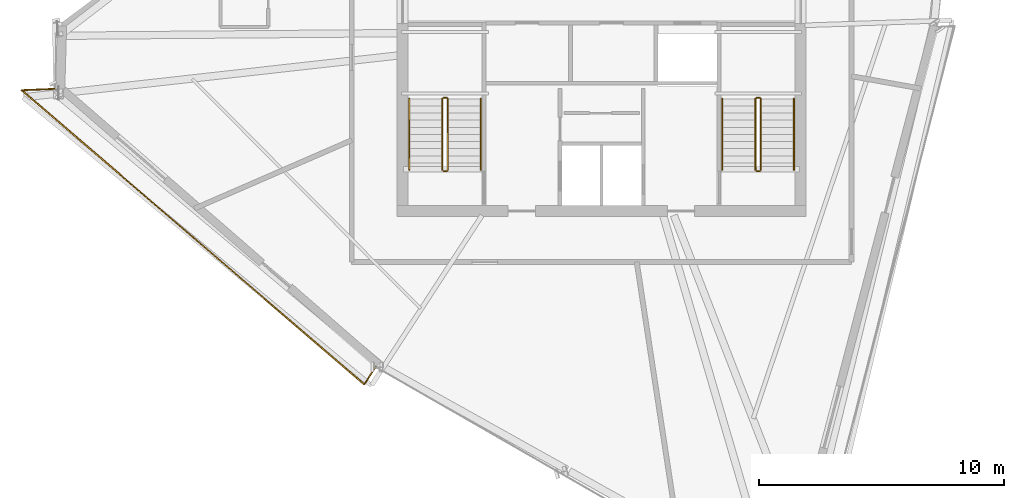
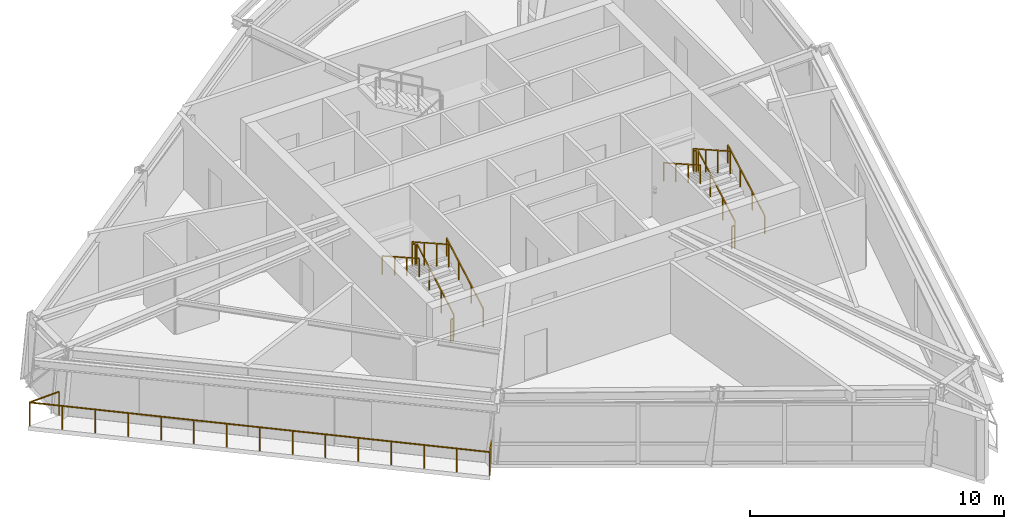
# One storey, part 11 of 13: 13 railings.
"""IFC4 building model written with IfcOpenShell, lengths in metres."""

import ifcopenshell
import ifcopenshell.guid

model = None  # the IFC model being written
_history = None  # IfcOwnerHistory: only IFC2X3 demands one
_inside = {}  # id of a spatial element -> (the spatial element, [elements in it])
_under = {}  # id of a project, library or spatial element -> (it, [spatial elements below it])
_declared = {}  # id of a project -> (the project, [libraries it declares])
_typed = {}  # id of a type object -> (the type object, [elements of that type])
_made_of = {}  # id of a material, layer set ... -> (it, [elements and type objects made of it])


def new_model(schema):
    """Start an empty IFC model of exactly this schema.

    Asked for "IFC4X3", IfcOpenShell would pick the latest addendum, in which some entities
    have other attributes; the version numbers below select the first issue.
    IFC2X3 requires an IfcOwnerHistory on every rooted entity: one is made here for all.
    """
    global model, _history
    if schema == "IFC4X3":
        model = ifcopenshell.file(schema_version=(4, 3, 0, 0))
    else:
        model = ifcopenshell.file(schema=schema)
    _inside.clear()
    _under.clear()
    _declared.clear()
    _typed.clear()
    _made_of.clear()
    _history = None
    if model.schema == "IFC2X3":
        org = make("IfcOrganization", Name="unknown")
        user = make(
            "IfcPersonAndOrganization",
            ThePerson=make("IfcPerson", FamilyName="unknown"),
            TheOrganization=org,
        )
        app = make(
            "IfcApplication",
            ApplicationDeveloper=org,
            Version="unknown",
            ApplicationFullName="unknown",
            ApplicationIdentifier="unknown",
        )
        _history = make(
            "IfcOwnerHistory",
            OwningUser=user,
            OwningApplication=app,
            ChangeAction="ADDED",
            CreationDate=0,
        )
    return model


def make(cls, **values):
    """One entity of the class cls with the attributes given. An attribute that is None is left unset."""
    return model.create_entity(
        cls, **{name: value for name, value in values.items() if value is not None}
    )


def rooted(cls, **values):
    """An entity with a GlobalId (a new one), such as an element, a storey or a relation."""
    return make(cls, GlobalId=ifcopenshell.guid.new(), OwnerHistory=_history, **values)


def si_unit(unit_type, name, prefix=None):
    """IfcSIUnit, for example si_unit("LENGTHUNIT", "METRE", prefix="MILLI")."""
    return make("IfcSIUnit", UnitType=unit_type, Prefix=prefix, Name=name)


def assignment(units):
    """IfcUnitAssignment: the units of a project."""
    return None if units is None else make("IfcUnitAssignment", Units=units)


def point(xyz):
    """IfcCartesianPoint."""
    return None if xyz is None else make("IfcCartesianPoint", Coordinates=xyz)


def direction(xyz):
    """IfcDirection."""
    return None if xyz is None else make("IfcDirection", DirectionRatios=xyz)


def frame(location, z_axis=None, x_axis=None):
    """IfcAxis2Placement3D, a coordinate frame: its origin and axes. An axis left out is left unset."""
    return make(
        "IfcAxis2Placement3D",
        Location=point(location),
        Axis=direction(z_axis),
        RefDirection=direction(x_axis),
    )


def frame_2d(location, x_axis=None):
    """IfcAxis2Placement2D, a coordinate frame in the plane: its origin and x axis."""
    return make(
        "IfcAxis2Placement2D", Location=point(location), RefDirection=direction(x_axis)
    )


def origin():
    """The frame at (0, 0, 0) with its axes left unset."""
    return frame((0.0, 0.0, 0.0))


def origin_2d():
    """The frame at (0, 0) in the plane with its x axis left unset."""
    return frame_2d((0.0, 0.0))


def place(relative_to, where):
    """IfcLocalPlacement: puts the frame where relative to a parent placement (None: the world)."""
    return make(
        "IfcLocalPlacement", PlacementRelTo=relative_to, RelativePlacement=where
    )


def context(
    kind, dimensions, precision=None, world=None, true_north=None, identifier=None
):
    """IfcGeometricRepresentationContext, for example the 3D "Model" context."""
    return make(
        "IfcGeometricRepresentationContext",
        ContextIdentifier=identifier,
        ContextType=kind,
        CoordinateSpaceDimension=dimensions,
        Precision=precision,
        WorldCoordinateSystem=world,
        TrueNorth=true_north,
    )


def subcontext(parent, identifier, kind, view, scale=None):
    """IfcGeometricRepresentationSubContext, for example "Body" below "Model"."""
    return make(
        "IfcGeometricRepresentationSubContext",
        ContextIdentifier=identifier,
        ContextType=kind,
        ParentContext=parent,
        TargetScale=scale,
        TargetView=view,
    )


def project(units=None, contexts=None):
    """IfcProject with its units and contexts."""
    return rooted(
        "IfcProject",
        Name="project",
        RepresentationContexts=contexts,
        UnitsInContext=assignment(units),
    )


def spatial(cls, under=None, at=None, **own):
    """A site, building, storey or space (cls), placed at a placement, below another one or the project."""
    s = rooted(cls, ObjectPlacement=at, **own)
    if under is not None:
        _under.setdefault(under.id(), (under, []))[1].append(s)
    return s


def profile(cls, at=None, kind="AREA", **sizes):
    """A parametric profile (cls). Its sizes go by their IFC names, for example OverallWidth=200.0."""
    return make(cls, ProfileType=kind, Position=at, **sizes)


def rectangle(**sizes):
    """IfcRectangleProfileDef."""
    return profile("IfcRectangleProfileDef", **sizes)


def extrude(swept, where, along, depth):
    """IfcExtrudedAreaSolid: the profile swept, set in the frame where, extruded along a direction by depth."""
    return make(
        "IfcExtrudedAreaSolid",
        SweptArea=swept,
        Position=where,
        ExtrudedDirection=direction(along),
        Depth=depth,
    )


def shape(context_of_items, identifier, shape_type, items):
    """IfcShapeRepresentation: the items that make up one representation, for example the "Body"."""
    return make(
        "IfcShapeRepresentation",
        ContextOfItems=context_of_items,
        RepresentationIdentifier=identifier,
        RepresentationType=shape_type,
        Items=items,
    )


def material(Name=None, Category=None):
    """IfcMaterial."""
    return make("IfcMaterial", Name=Name, Category=Category)


def made_of(thing, what):
    """Note that an element or type object is made of a material, layer set ...; save() writes the relation."""
    if what is not None:
        _made_of.setdefault(what.id(), (what, []))[1].append(thing)
    return thing


def type_object(cls, material=None, **own):
    """A type object (cls), such as IfcWallType, which elements share."""
    return made_of(rooted(cls, **own), material)


def element(
    cls,
    number,
    at=None,
    inside=None,
    cuts=None,
    type_object=None,
    material=None,
    context=None,
    identifier="Body",
    shape_type=None,
    held_by="IfcProductDefinitionShape",
    body=None,
    shapes=None,
    **own,
):
    """One element of the class cls, such as IfcWall. Its Tag is "e" and its number.

    at: its placement. inside: the storey or other place that contains it. cuts: it is an
    opening in that element (IfcRelVoidsElement). A single representation is given by context,
    identifier, shape_type and body (its items); several are given by shapes. held_by: the class
    of the entity that holds the representations. save() writes the other relations.
    """
    e = rooted(cls, Tag="e%d" % number, ObjectPlacement=at, **own)
    if body is not None:
        shapes = [shape(context, identifier, shape_type, body)]
    if shapes is not None:
        e.Representation = make(held_by, Representations=shapes)
    if inside is not None:
        _inside.setdefault(inside.id(), (inside, []))[1].append(e)
    if cuts is not None:
        rooted(
            "IfcRelVoidsElement", RelatingBuildingElement=cuts, RelatedOpeningElement=e
        )
    if type_object is not None:
        _typed.setdefault(type_object.id(), (type_object, []))[1].append(e)
    return made_of(e, material)


def aggregate(whole, parts):
    """IfcRelAggregates: a whole, such as a stair, and the parts it consists of."""
    return rooted("IfcRelAggregates", RelatingObject=whole, RelatedObjects=parts)


def save(model, path):
    """Write the relations noted so far, then the file.

    IfcRelAggregates (storeys below a building ...), IfcRelContainedInSpatialStructure (elements
    in a storey), IfcRelDefinesByType, IfcRelAssociatesMaterial and IfcRelDeclares: one each for
    every whole, place, type object, material and project.
    """
    for whole, parts in _under.values():
        aggregate(whole, parts)
    for where, things in _inside.values():
        rooted(
            "IfcRelContainedInSpatialStructure",
            RelatedElements=things,
            RelatingStructure=where,
        )
    for kind, things in _typed.values():
        rooted("IfcRelDefinesByType", RelatedObjects=things, RelatingType=kind)
    for what, things in _made_of.values():
        rooted("IfcRelAssociatesMaterial", RelatedObjects=things, RelatingMaterial=what)
    for by, libraries in _declared.values():
        rooted("IfcRelDeclares", RelatingContext=by, RelatedDefinitions=libraries)
    model.write(path)


model = new_model("IFC4")

# Units and contexts
model_context = context("Model", 3, precision=1e-05, world=origin(), true_north=direction((0.0, 1.0)))
body_context = subcontext(model_context, "Body", "Model", "MODEL_VIEW")
ifc_project = project(units=[si_unit("LENGTHUNIT", "METRE"), si_unit("AREAUNIT", "SQUARE_METRE"), si_unit("VOLUMEUNIT", "CUBIC_METRE"), si_unit("PLANEANGLEUNIT", "RADIAN"), si_unit("MASSUNIT", "GRAM", prefix="KILO")], contexts=[model_context])

# Site, building, storey
site_placement = place(None, origin())
site = spatial("IfcSite", under=ifc_project, at=site_placement, CompositionType="ELEMENT")
building_placement = place(site_placement, origin())
building = spatial("IfcBuilding", under=site, at=building_placement, Name="Olszyna Solenne Hotel", CompositionType="ELEMENT")
storey_placement = place(building_placement, frame((0.0, 0.0, 263.300048828125)))
storey = spatial("IfcBuildingStorey", under=building, at=storey_placement, Name="L70", CompositionType="ELEMENT", Elevation=263.300048828125)

# Railings
ifc_material_1 = material(Name="Anodised bronze aluminium", Category="aluminium")
railing_type_1 = type_object("IfcRailingType", Name="GR-110", PredefinedType="BALUSTRADE", material=ifc_material_1)
railing_1_placement = place(storey_placement, frame((15.708984375, 24.26416015625, 0.0)))
element("IfcRailing", 1, at=railing_1_placement, inside=storey, type_object=railing_type_1, Name="Loggia balcony balustrade guard GR-L70-LG2", PredefinedType="BALUSTRADE", context=body_context, shape_type="SweptSolid", body=[
    extrude(rectangle(XDim=0.048095703125, YDim=0.048095703125, at=origin_2d()), frame((0.0, 0.0, 1.1259765625), z_axis=(-0.999149254878, -0.041240350113, 0.0), x_axis=(0.041240350113, -0.999149254878, 0.0)), (0.0, 0.0, 1.0), 1.37939453125),
    extrude(rectangle(XDim=0.048095703125, YDim=0.048095703125, at=origin_2d()), frame((-1.378173828125, -0.056884765625, 1.1259765625), z_axis=(0.758584719473, -0.651574418913, 0.0), x_axis=(0.651574418913, 0.758584719473, 0.0)), (0.0, 0.0, 1.0), 18.427490234375),
    extrude(rectangle(XDim=0.048095703125, YDim=0.048095703125, at=origin_2d()), frame((12.6005859375, -12.063720703125, 1.1259765625), z_axis=(0.555765191135, 0.831339312388, 0.0), x_axis=(-0.831339312388, 0.555765191135, 0.0)), (0.0, 0.0, 1.0), 0.845947265625),
    extrude(rectangle(XDim=0.0419921875, YDim=0.0419921875, at=origin_2d()), origin(), (0.0, 0.0, 1.0), 1.101806640625),
    extrude(rectangle(XDim=0.0419921875, YDim=0.0419921875, at=origin_2d()), frame((-1.378173828125, -0.056884765625, 0.0)), (0.0, 0.0, 1.0), 1.101806640625),
    extrude(rectangle(XDim=0.0419921875, YDim=0.0419921875, at=origin_2d()), frame((-0.379638671875, -0.91455078125, 0.0)), (0.0, 0.0, 1.0), 1.101806640625),
    extrude(rectangle(XDim=0.0419921875, YDim=0.0419921875, at=origin_2d()), frame((0.618896484375, -1.772216796875, 0.0)), (0.0, 0.0, 1.0), 1.101806640625),
    extrude(rectangle(XDim=0.0419921875, YDim=0.0419921875, at=origin_2d()), frame((1.6171875, -2.6298828125, 0.0)), (0.0, 0.0, 1.0), 1.101806640625),
    extrude(rectangle(XDim=0.0419921875, YDim=0.0419921875, at=origin_2d()), frame((2.61572265625, -3.4873046875, 0.0)), (0.0, 0.0, 1.0), 1.101806640625),
    extrude(rectangle(XDim=0.0419921875, YDim=0.0419921875, at=origin_2d()), frame((3.6142578125, -4.344970703125, 0.0)), (0.0, 0.0, 1.0), 1.101806640625),
    extrude(rectangle(XDim=0.0419921875, YDim=0.0419921875, at=origin_2d()), frame((4.61279296875, -5.20263671875, 0.0)), (0.0, 0.0, 1.0), 1.101806640625),
    extrude(rectangle(XDim=0.0419921875, YDim=0.0419921875, at=origin_2d()), frame((5.611328125, -6.060302734375, 0.0)), (0.0, 0.0, 1.0), 1.101806640625),
    extrude(rectangle(XDim=0.0419921875, YDim=0.0419921875, at=origin_2d()), frame((6.609619140625, -6.91796875, 0.0)), (0.0, 0.0, 1.0), 1.101806640625),
    extrude(rectangle(XDim=0.0419921875, YDim=0.0419921875, at=origin_2d()), frame((7.608154296875, -7.775634765625, 0.0)), (0.0, 0.0, 1.0), 1.101806640625),
    extrude(rectangle(XDim=0.0419921875, YDim=0.0419921875, at=origin_2d()), frame((8.606689453125, -8.63330078125, 0.0)), (0.0, 0.0, 1.0), 1.101806640625),
    extrude(rectangle(XDim=0.0419921875, YDim=0.0419921875, at=origin_2d()), frame((9.605224609375, -9.49072265625, 0.0)), (0.0, 0.0, 1.0), 1.101806640625),
    extrude(rectangle(XDim=0.0419921875, YDim=0.0419921875, at=origin_2d()), frame((10.603515625, -10.348388671875, 0.0)), (0.0, 0.0, 1.0), 1.101806640625),
    extrude(rectangle(XDim=0.0419921875, YDim=0.0419921875, at=origin_2d()), frame((11.60205078125, -11.2060546875, 0.0)), (0.0, 0.0, 1.0), 1.101806640625),
    extrude(rectangle(XDim=0.0419921875, YDim=0.0419921875, at=origin_2d()), frame((12.6005859375, -12.063720703125, 0.0)), (0.0, 0.0, 1.0), 1.101806640625),
    extrude(rectangle(XDim=0.0419921875, YDim=0.0419921875, at=origin_2d()), frame((13.07080078125, -11.3603515625, 0.0)), (0.0, 0.0, 1.0), 1.101806640625),
])
railing_2_placement = place(storey_placement, frame((31.719970703125, 20.949951171875, 0.16357421875)))
element("IfcRailing", 2, at=railing_2_placement, inside=storey, type_object=railing_type_1, Name="L70 ST1 stair guard 1", PredefinedType="BALUSTRADE", context=body_context, shape_type="SweptSolid", body=[
    extrude(rectangle(XDim=0.048095703125, YDim=0.048095703125, at=origin_2d()), frame((0.0, 0.0, 1.076171875), z_axis=(0.0, 0.870914908162, 0.491433843708), x_axis=(-1.0, 0.0, 0.0)), (0.0, 0.0, 1.0), 3.330078125),
    extrude(rectangle(XDim=0.0419921875, YDim=0.0419921875, at=origin_2d()), origin(), (0.0, 0.0, 1.0), 1.052001953125),
    extrude(rectangle(XDim=0.0419921875, YDim=0.0419921875, at=origin_2d()), frame((0.0, 0.966796875, 0.54541015625)), (0.0, 0.0, 1.0), 1.052001953125),
    extrude(rectangle(XDim=0.0419921875, YDim=0.0419921875, at=origin_2d()), frame((0.0, 1.933349609375, 1.091064453125)), (0.0, 0.0, 1.0), 1.052001953125),
    extrude(rectangle(XDim=0.0419921875, YDim=0.0419921875, at=origin_2d()), frame((0.0, 2.900146484375, 1.636474609375)), (0.0, 0.0, 1.0), 1.052001953125),
])
railing_3_placement = place(storey_placement, frame((31.669921875, 23.89990234375, 1.800048828125)))
element("IfcRailing", 3, at=railing_3_placement, inside=storey, type_object=railing_type_1, Name="L70 ST1 stair guard 2", PredefinedType="BALUSTRADE", context=body_context, shape_type="SweptSolid", body=[
    extrude(rectangle(XDim=0.048095703125, YDim=0.048095703125, at=origin_2d()), frame((0.0, 0.0, 1.076171875), z_axis=(-1.0, 0.0, 0.0), x_axis=(0.0, -1.0, 0.0)), (0.0, 0.0, 1.0), 0.119873046875),
    extrude(rectangle(XDim=0.0419921875, YDim=0.0419921875, at=origin_2d()), origin(), (0.0, 0.0, 1.0), 1.052001953125),
    extrude(rectangle(XDim=0.0419921875, YDim=0.0419921875, at=origin_2d()), frame((-0.119873046875, 0.0, 0.0)), (0.0, 0.0, 1.0), 1.052001953125),
])
railing_4_placement = place(storey_placement, frame((31.5, 23.85009765625, 1.963623046875)))
element("IfcRailing", 4, at=railing_4_placement, inside=storey, type_object=railing_type_1, Name="L70 ST1 stair guard 3", PredefinedType="BALUSTRADE", context=body_context, shape_type="SweptSolid", body=[
    extrude(rectangle(XDim=0.048095703125, YDim=0.048095703125, at=origin_2d()), frame((0.0, 0.0, 1.076171875), z_axis=(0.0, -0.870946286338, 0.49137823142), x_axis=(1.0, 0.0, 0.0)), (0.0, 0.0, 1.0), 3.329833984375),
    extrude(rectangle(XDim=0.0419921875, YDim=0.0419921875, at=origin_2d()), origin(), (0.0, 0.0, 1.0), 1.052001953125),
    extrude(rectangle(XDim=0.0419921875, YDim=0.0419921875, at=origin_2d()), frame((0.0, -0.966796875, 0.54541015625)), (0.0, 0.0, 1.0), 1.052001953125),
    extrude(rectangle(XDim=0.0419921875, YDim=0.0419921875, at=origin_2d()), frame((0.0, -1.933349609375, 1.0908203125)), (0.0, 0.0, 1.0), 1.052001953125),
    extrude(rectangle(XDim=0.0419921875, YDim=0.0419921875, at=origin_2d()), frame((0.0, -2.900146484375, 1.63623046875)), (0.0, 0.0, 1.0), 1.052001953125),
])
railing_5_placement = place(storey_placement, frame((31.669921875, 20.89990234375, 0.0)))
element("IfcRailing", 5, at=railing_5_placement, inside=storey, type_object=railing_type_1, Name="L70 ST1 stair guard 4", PredefinedType="BALUSTRADE", context=body_context, shape_type="SweptSolid", body=[
    extrude(rectangle(XDim=0.048095703125, YDim=0.048095703125, at=origin_2d()), frame((0.0, 0.0, 1.076171875), z_axis=(-1.0, 0.0, 0.0), x_axis=(0.0, -1.0, 0.0)), (0.0, 0.0, 1.0), 0.119873046875),
    extrude(rectangle(XDim=0.0419921875, YDim=0.0419921875, at=origin_2d()), origin(), (0.0, 0.0, 1.0), 1.052001953125),
    extrude(rectangle(XDim=0.0419921875, YDim=0.0419921875, at=origin_2d()), frame((-0.119873046875, 0.0, 0.0)), (0.0, 0.0, 1.0), 1.052001953125),
])
railing_6_placement = place(storey_placement, frame((44.5, 20.949951171875, 0.16357421875)))
element("IfcRailing", 6, at=railing_6_placement, inside=storey, type_object=railing_type_1, Name="L70 ST2 stair guard 1", PredefinedType="BALUSTRADE", context=body_context, shape_type="SweptSolid", body=[
    extrude(rectangle(XDim=0.048095703125, YDim=0.048095703125, at=origin_2d()), frame((0.0, 0.0, 1.076171875), z_axis=(0.0, 0.870914908162, 0.491433843708), x_axis=(-1.0, 0.0, 0.0)), (0.0, 0.0, 1.0), 3.330078125),
    extrude(rectangle(XDim=0.0419921875, YDim=0.0419921875, at=origin_2d()), origin(), (0.0, 0.0, 1.0), 1.052001953125),
    extrude(rectangle(XDim=0.0419921875, YDim=0.0419921875, at=origin_2d()), frame((0.0, 0.966796875, 0.54541015625)), (0.0, 0.0, 1.0), 1.052001953125),
    extrude(rectangle(XDim=0.0419921875, YDim=0.0419921875, at=origin_2d()), frame((0.0, 1.933349609375, 1.091064453125)), (0.0, 0.0, 1.0), 1.052001953125),
    extrude(rectangle(XDim=0.0419921875, YDim=0.0419921875, at=origin_2d()), frame((0.0, 2.900146484375, 1.636474609375)), (0.0, 0.0, 1.0), 1.052001953125),
])
railing_7_placement = place(storey_placement, frame((44.449951171875, 23.89990234375, 1.800048828125)))
element("IfcRailing", 7, at=railing_7_placement, inside=storey, type_object=railing_type_1, Name="L70 ST2 stair guard 2", PredefinedType="BALUSTRADE", context=body_context, shape_type="SweptSolid", body=[
    extrude(rectangle(XDim=0.048095703125, YDim=0.048095703125, at=origin_2d()), frame((0.0, 0.0, 1.076171875), z_axis=(-1.0, 0.0, 0.0), x_axis=(0.0, -1.0, 0.0)), (0.0, 0.0, 1.0), 0.119873046875),
    extrude(rectangle(XDim=0.0419921875, YDim=0.0419921875, at=origin_2d()), origin(), (0.0, 0.0, 1.0), 1.052001953125),
    extrude(rectangle(XDim=0.0419921875, YDim=0.0419921875, at=origin_2d()), frame((-0.119873046875, 0.0, 0.0)), (0.0, 0.0, 1.0), 1.052001953125),
])
railing_8_placement = place(storey_placement, frame((44.280029296875, 23.85009765625, 1.963623046875)))
element("IfcRailing", 8, at=railing_8_placement, inside=storey, type_object=railing_type_1, Name="L70 ST2 stair guard 3", PredefinedType="BALUSTRADE", context=body_context, shape_type="SweptSolid", body=[
    extrude(rectangle(XDim=0.048095703125, YDim=0.048095703125, at=origin_2d()), frame((0.0, 0.0, 1.076171875), z_axis=(0.0, -0.870946286338, 0.49137823142), x_axis=(1.0, 0.0, 0.0)), (0.0, 0.0, 1.0), 3.329833984375),
    extrude(rectangle(XDim=0.0419921875, YDim=0.0419921875, at=origin_2d()), origin(), (0.0, 0.0, 1.0), 1.052001953125),
    extrude(rectangle(XDim=0.0419921875, YDim=0.0419921875, at=origin_2d()), frame((0.0, -0.966796875, 0.54541015625)), (0.0, 0.0, 1.0), 1.052001953125),
    extrude(rectangle(XDim=0.0419921875, YDim=0.0419921875, at=origin_2d()), frame((0.0, -1.933349609375, 1.0908203125)), (0.0, 0.0, 1.0), 1.052001953125),
    extrude(rectangle(XDim=0.0419921875, YDim=0.0419921875, at=origin_2d()), frame((0.0, -2.900146484375, 1.63623046875)), (0.0, 0.0, 1.0), 1.052001953125),
])
railing_9_placement = place(storey_placement, frame((44.449951171875, 20.89990234375, 0.0)))
element("IfcRailing", 9, at=railing_9_placement, inside=storey, type_object=railing_type_1, Name="L70 ST2 stair guard 4", PredefinedType="BALUSTRADE", context=body_context, shape_type="SweptSolid", body=[
    extrude(rectangle(XDim=0.048095703125, YDim=0.048095703125, at=origin_2d()), frame((0.0, 0.0, 1.076171875), z_axis=(-1.0, 0.0, 0.0), x_axis=(0.0, -1.0, 0.0)), (0.0, 0.0, 1.0), 0.119873046875),
    extrude(rectangle(XDim=0.0419921875, YDim=0.0419921875, at=origin_2d()), origin(), (0.0, 0.0, 1.0), 1.052001953125),
    extrude(rectangle(XDim=0.0419921875, YDim=0.0419921875, at=origin_2d()), frame((-0.119873046875, 0.0, 0.0)), (0.0, 0.0, 1.0), 1.052001953125),
])
ifc_material_2 = material(Name="Steel S355J2", Category="steel")
railing_type_2 = type_object("IfcRailingType", Name="HR-090", PredefinedType="HANDRAIL", material=ifc_material_2)
railing_10_placement = place(storey_placement, frame((33.070068359375, 20.949951171875, 0.16357421875)))
element("IfcRailing", 10, at=railing_10_placement, inside=storey, type_object=railing_type_2, Name="L70 ST1 stair handrail 1", PredefinedType="HANDRAIL", context=body_context, shape_type="SweptSolid", body=[
    extrude(rectangle(XDim=0.048095703125, YDim=0.048095703125, at=origin_2d()), frame((0.0, 0.0, 0.8759765625), z_axis=(0.0, 0.870914908162, 0.491433843708), x_axis=(-1.0, 0.0, 0.0)), (0.0, 0.0, 1.0), 3.330078125),
    extrude(rectangle(XDim=0.0419921875, YDim=0.0419921875, at=origin_2d()), origin(), (0.0, 0.0, 1.0), 0.851806640625),
    extrude(rectangle(XDim=0.0419921875, YDim=0.0419921875, at=origin_2d()), frame((0.0, 0.966796875, 0.54541015625)), (0.0, 0.0, 1.0), 0.851806640625),
    extrude(rectangle(XDim=0.0419921875, YDim=0.0419921875, at=origin_2d()), frame((0.0, 1.933349609375, 1.091064453125)), (0.0, 0.0, 1.0), 0.851806640625),
    extrude(rectangle(XDim=0.0419921875, YDim=0.0419921875, at=origin_2d()), frame((0.0, 2.900146484375, 1.636474609375)), (0.0, 0.0, 1.0), 0.851806640625),
])
railing_11_placement = place(storey_placement, frame((30.14990234375, 23.85009765625, 1.963623046875)))
element("IfcRailing", 11, at=railing_11_placement, inside=storey, type_object=railing_type_2, Name="L70 ST1 stair handrail 2", PredefinedType="HANDRAIL", context=body_context, shape_type="SweptSolid", body=[
    extrude(rectangle(XDim=0.048095703125, YDim=0.048095703125, at=origin_2d()), frame((0.0, 0.0, 0.8759765625), z_axis=(0.0, -0.870946286338, 0.49137823142), x_axis=(1.0, 0.0, 0.0)), (0.0, 0.0, 1.0), 3.329833984375),
    extrude(rectangle(XDim=0.0419921875, YDim=0.0419921875, at=origin_2d()), origin(), (0.0, 0.0, 1.0), 0.851806640625),
    extrude(rectangle(XDim=0.0419921875, YDim=0.0419921875, at=origin_2d()), frame((0.0, -0.966796875, 0.54541015625)), (0.0, 0.0, 1.0), 0.851806640625),
    extrude(rectangle(XDim=0.0419921875, YDim=0.0419921875, at=origin_2d()), frame((0.0, -1.933349609375, 1.0908203125)), (0.0, 0.0, 1.0), 0.851806640625),
    extrude(rectangle(XDim=0.0419921875, YDim=0.0419921875, at=origin_2d()), frame((0.0, -2.900146484375, 1.63623046875)), (0.0, 0.0, 1.0), 0.851806640625),
])
railing_12_placement = place(storey_placement, frame((45.85009765625, 20.949951171875, 0.16357421875)))
element("IfcRailing", 12, at=railing_12_placement, inside=storey, type_object=railing_type_2, Name="L70 ST2 stair handrail 1", PredefinedType="HANDRAIL", context=body_context, shape_type="SweptSolid", body=[
    extrude(rectangle(XDim=0.048095703125, YDim=0.048095703125, at=origin_2d()), frame((0.0, 0.0, 0.8759765625), z_axis=(0.0, 0.870914908162, 0.491433843708), x_axis=(-1.0, 0.0, 0.0)), (0.0, 0.0, 1.0), 3.330078125),
    extrude(rectangle(XDim=0.0419921875, YDim=0.0419921875, at=origin_2d()), origin(), (0.0, 0.0, 1.0), 0.851806640625),
    extrude(rectangle(XDim=0.0419921875, YDim=0.0419921875, at=origin_2d()), frame((0.0, 0.966796875, 0.54541015625)), (0.0, 0.0, 1.0), 0.851806640625),
    extrude(rectangle(XDim=0.0419921875, YDim=0.0419921875, at=origin_2d()), frame((0.0, 1.933349609375, 1.091064453125)), (0.0, 0.0, 1.0), 0.851806640625),
    extrude(rectangle(XDim=0.0419921875, YDim=0.0419921875, at=origin_2d()), frame((0.0, 2.900146484375, 1.636474609375)), (0.0, 0.0, 1.0), 0.851806640625),
])
railing_13_placement = place(storey_placement, frame((42.929931640625, 23.85009765625, 1.963623046875)))
element("IfcRailing", 13, at=railing_13_placement, inside=storey, type_object=railing_type_2, Name="L70 ST2 stair handrail 2", PredefinedType="HANDRAIL", context=body_context, shape_type="SweptSolid", body=[
    extrude(rectangle(XDim=0.048095703125, YDim=0.048095703125, at=origin_2d()), frame((0.0, 0.0, 0.8759765625), z_axis=(0.0, -0.870946286338, 0.49137823142), x_axis=(1.0, 0.0, 0.0)), (0.0, 0.0, 1.0), 3.329833984375),
    extrude(rectangle(XDim=0.0419921875, YDim=0.0419921875, at=origin_2d()), origin(), (0.0, 0.0, 1.0), 0.851806640625),
    extrude(rectangle(XDim=0.0419921875, YDim=0.0419921875, at=origin_2d()), frame((0.0, -0.966796875, 0.54541015625)), (0.0, 0.0, 1.0), 0.851806640625),
    extrude(rectangle(XDim=0.0419921875, YDim=0.0419921875, at=origin_2d()), frame((0.0, -1.933349609375, 1.0908203125)), (0.0, 0.0, 1.0), 0.851806640625),
    extrude(rectangle(XDim=0.0419921875, YDim=0.0419921875, at=origin_2d()), frame((0.0, -2.900146484375, 1.63623046875)), (0.0, 0.0, 1.0), 0.851806640625),
])

save(model, "model.ifc")
